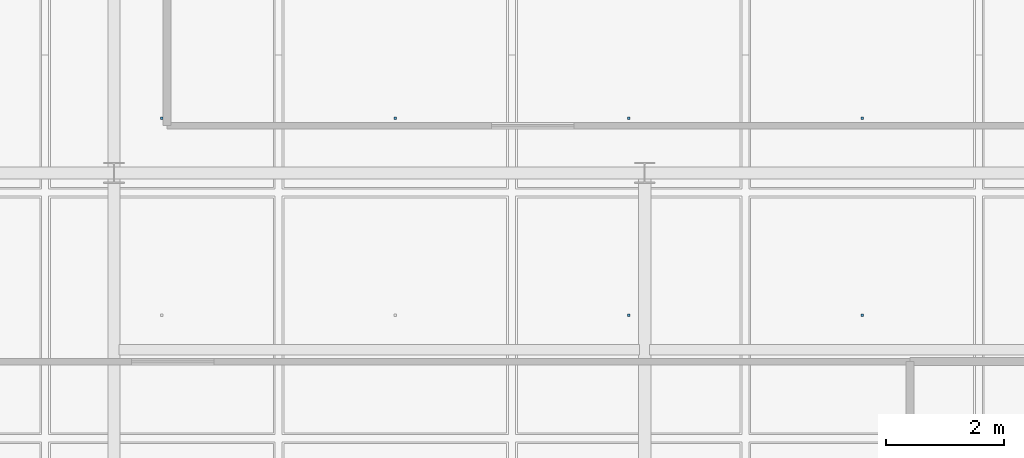
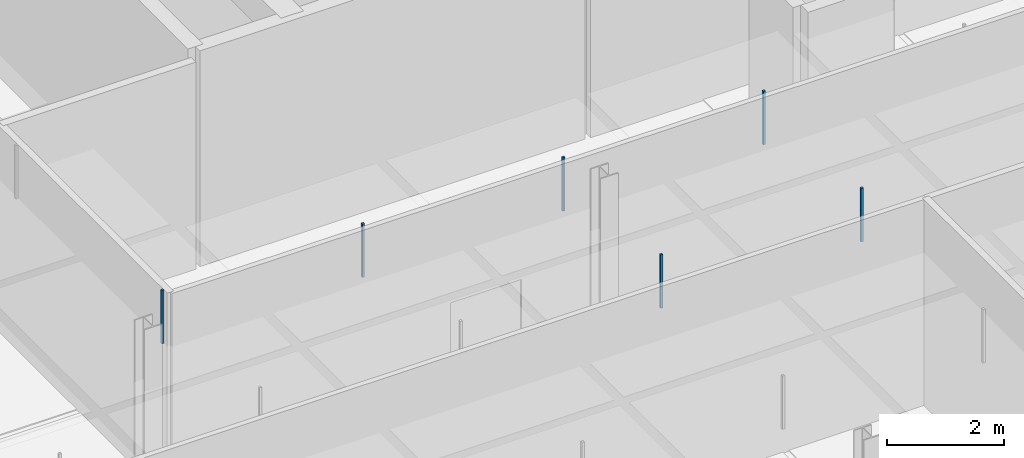
# One storey, part 112 of 130: 6 discrete accessories.
"""IFC4 building model written with IfcOpenShell, lengths in metres."""

from ifc_helpers import new_model, si_unit, direction, frame, origin, origin_2d, place, context, subcontext, project, spatial, rectangle, extrude, material, type_object, element, save


model = new_model("IFC4")

# Units and contexts
model_context = context("Model", 3, precision=1e-05, world=origin(), true_north=direction((0.0, 1.0)))
body_context = subcontext(model_context, "Body", "Model", "MODEL_VIEW")
ifc_project = project(units=[si_unit("LENGTHUNIT", "METRE"), si_unit("AREAUNIT", "SQUARE_METRE"), si_unit("VOLUMEUNIT", "CUBIC_METRE"), si_unit("PLANEANGLEUNIT", "RADIAN"), si_unit("MASSUNIT", "GRAM", prefix="KILO"), si_unit("THERMODYNAMICTEMPERATUREUNIT", "KELVIN"), si_unit("POWERUNIT", "WATT")], contexts=[model_context])

# Site, building, storey
site_placement = place(None, origin())
site = spatial("IfcSite", under=ifc_project, at=site_placement, CompositionType="ELEMENT")
building_placement = place(site_placement, origin())
building = spatial("IfcBuilding", under=site, at=building_placement, Name="Tallowbark Science Centre", CompositionType="ELEMENT")
storey_placement = place(building_placement, frame((0.0, 0.0, 5.39990234375)))
storey = spatial("IfcBuildingStorey", under=building, at=storey_placement, Name="L01", CompositionType="ELEMENT", Elevation=5.39990234375)

# Discrete accessories
ifc_material = material(Name="Galvanised Steel Grade C350L0 (350 MPa)", Category="steel")
discrete_accessory_type = type_object("IfcDiscreteAccessoryType", Name="ACC-CLG-HNG", PredefinedType="BRACKET", material=ifc_material)
for number, where, z_axis, x_axis, name in (
    (1, (131.3125, 90.92822265625, 3.2060546875), (0.0, 0.0, 1.0), (1.0, 0.0, 0.0), "Ceiling Hanger Bracket L01-709"),
    (2, (135.270751953125, 90.92822265625, 3.2060546875), (0.0, 0.0, 1.0), (1.0, 0.0, 0.0), "Ceiling Hanger Bracket L01-718"),
    (3, (139.229248046875, 87.583251953125, 3.2060546875), (0.0, 0.0, 1.0), (1.0, 0.0, 0.0), "Ceiling Hanger Bracket L01-723"),
    (4, (139.229248046875, 90.92822265625, 3.2060546875), (0.0, 0.0, 1.0), (1.0, 0.0, 0.0), "Ceiling Hanger Bracket L01-724"),
    (5, (143.1875, 87.583251953125, 3.2060546875), (0.0, 0.0, 1.0), (1.0, 0.0, 0.0), "Ceiling Hanger Bracket L01-729"),
    (6, (143.1875, 90.92822265625, 3.2060546875), (0.0, 0.0, 1.0), (1.0, 0.0, 0.0), "Ceiling Hanger Bracket L01-730"),
):
    element("IfcDiscreteAccessory", number, at=place(storey_placement, frame(where, z_axis=z_axis, x_axis=x_axis)), inside=storey, type_object=discrete_accessory_type, Name=name, PredefinedType="BRACKET", context=body_context, shape_type="SweptSolid", body=[
        extrude(rectangle(XDim=0.044921875, YDim=0.044921875, at=origin_2d()), origin(), (0.0, 0.0, 1.0), 1.116943359375),
    ])

save(model, "model.ifc")
